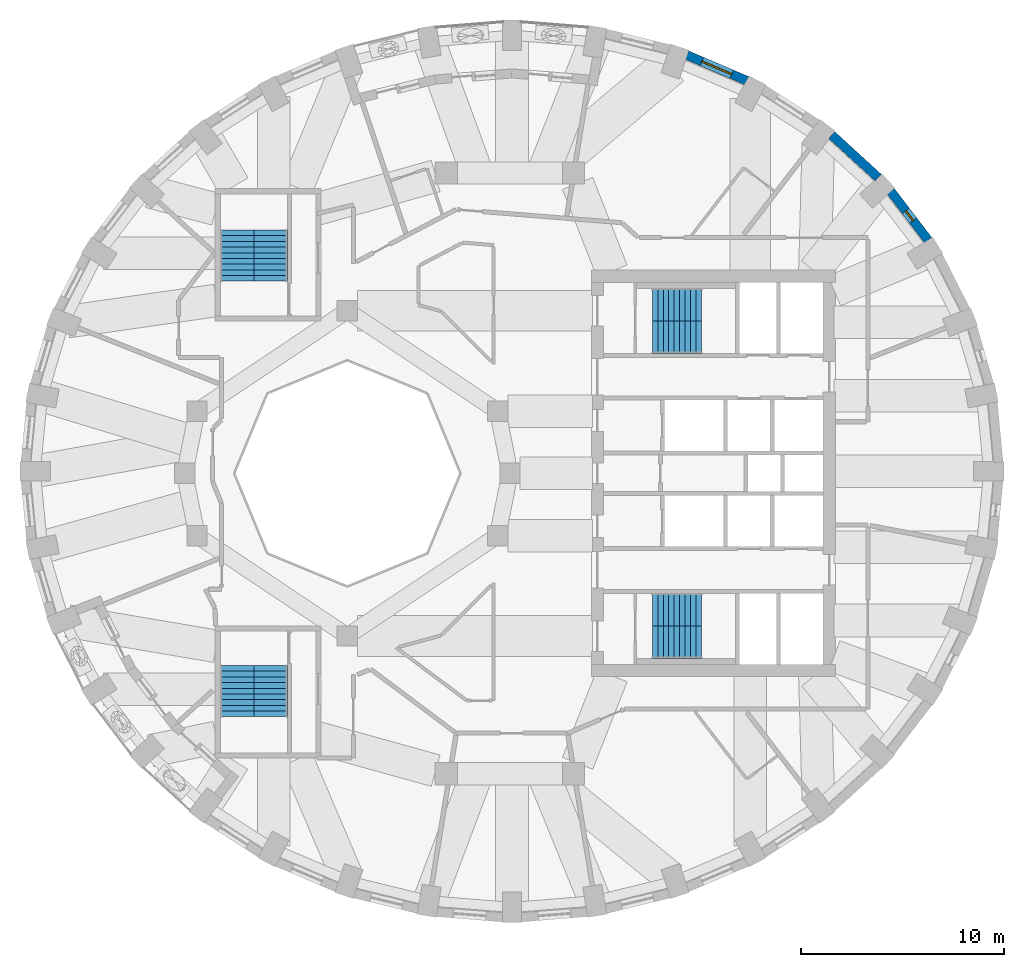
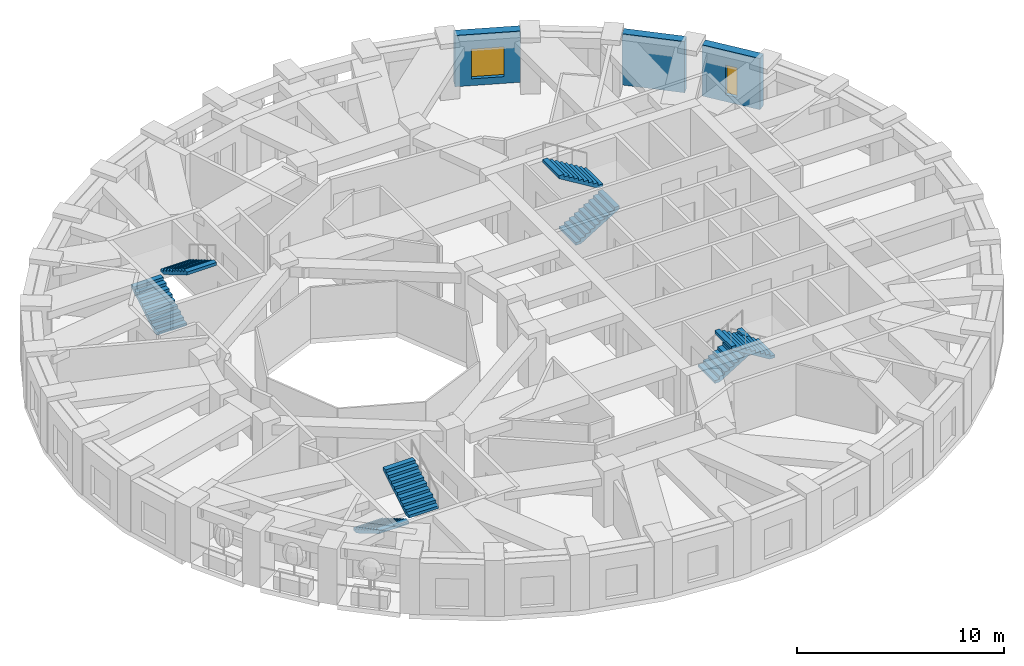
# One storey, part 8 of 11: 8 stair flights, 3 walls, 2 windows, 2 openings, 4 elements without a shape of their own.
"""IFC4 building model written with IfcOpenShell, lengths in metres."""

from ifc_helpers import new_model, si_unit, direction, frame, frame_2d, origin, place, context, subcontext, project, spatial, polyline, rectangle, outline, extrude, material, layer, layer_set, type_object, element, fill, aggregate, save


model = new_model("IFC4")

# Units and contexts
model_context = context("Model", 3, precision=1e-05, world=origin(), true_north=direction((0.0, 1.0)))
body_context = subcontext(model_context, "Body", "Model", "MODEL_VIEW")
ifc_project = project(units=[si_unit("LENGTHUNIT", "METRE"), si_unit("AREAUNIT", "SQUARE_METRE"), si_unit("VOLUMEUNIT", "CUBIC_METRE"), si_unit("PLANEANGLEUNIT", "RADIAN"), si_unit("MASSUNIT", "GRAM", prefix="KILO")], contexts=[model_context])

# Site, building, storey
site_placement = place(None, origin())
site = spatial("IfcSite", under=ifc_project, at=site_placement, CompositionType="ELEMENT")
building_placement = place(site_placement, origin())
building = spatial("IfcBuilding", under=site, at=building_placement, Name="Taillehof Tower", CompositionType="ELEMENT")
storey_placement = place(building_placement, frame((0.0, 0.0, 174.800048828125)))
storey = spatial("IfcBuildingStorey", under=building, at=storey_placement, Name="L49", CompositionType="ELEMENT", Elevation=174.800048828125)

# Wall, opening, window
ifc_material_1 = material(Name="Brick masonry", Category="masonry")
ifc_layer = layer(ifc_material_1, 0.449951171875)
ifc_layer_set = layer_set([ifc_layer], Name="Brick infill wall 450")
wall_type = type_object("IfcWallType", Name="Brick infill wall 450", PredefinedType="SOLIDWALL", material=ifc_layer_set)
wall_1_placement = place(storey_placement, frame((20.573974609375, 11.467041015625, 0.0), z_axis=(0.0, 0.0, 1.0), x_axis=(-0.607817056371, 0.794077090706, 0.0)))
wall_1 = element("IfcWall", 1, at=wall_1_placement, inside=storey, type_object=wall_type, Name="Brick wall L49 bay 4", PredefinedType="SOLIDWALL", context=body_context, shape_type="SweptSolid", body=[
    extrude(rectangle(XDim=3.037109375, YDim=0.449951171875, at=frame_2d((1.5185546875, 0.0))), origin(), (0.0, 0.0, 1.0), 3.02001953125),
])
opening_1_placement = place(wall_1_placement, frame((1.218505859375, 0.0, 0.39990234375)))
opening_1 = element("IfcOpeningElement", 2, at=opening_1_placement, cuts=wall_1, Name="Opening W6", PredefinedType="OPENING", context=body_context, shape_type="SweptSolid", body=[
    extrude(rectangle(XDim=0.60009765625, YDim=1.75, at=frame_2d((0.300048828125, 0.875))), frame((0.0, 0.23486328125, 0.0), z_axis=(0.0, -1.0, 0.0), x_axis=(1.0, 0.0, 0.0)), (0.0, 0.0, 1.0), 0.469970703125),
])
ifc_material_2 = material(Name="Aluminium window frame with clear double glazing", Category="aluminium")
window_type_1 = type_object("IfcWindowType", Name="Slot window 600x1750", PartitioningType="SINGLE_PANEL", PredefinedType="WINDOW", material=ifc_material_2)
window_1_placement = place(opening_1_placement, origin())
window_1 = element("IfcWindow", 3, at=window_1_placement, inside=storey, type_object=window_type_1, Name="W6", OverallHeight=1.75, OverallWidth=0.60009765625, PartitioningType="SINGLE_PANEL", PredefinedType="WINDOW", context=body_context, shape_type="SweptSolid", body=[
    extrude(rectangle(XDim=0.60009765625, YDim=1.75, at=frame_2d((0.300048828125, 0.875))), frame((0.0, 0.034912109375, 0.0), z_axis=(0.0, -1.0, 0.0), x_axis=(1.0, 0.0, 0.0)), (0.0, 0.0, 1.0), 0.06005859375),
])
fill(opening_1, window_1)

# Wall
wall_2_placement = place(storey_placement, frame((18.11328125, 14.5498046875, 0.0), z_axis=(0.0, 0.0, 1.0), x_axis=(-0.737808755941, 0.675009807082, 0.0)))
element("IfcWall", 4, at=wall_2_placement, inside=storey, type_object=wall_type, Name="Brick wall L49 bay 5", PredefinedType="SOLIDWALL", context=body_context, shape_type="SweptSolid", body=[
    extrude(rectangle(XDim=3.094482421875, YDim=0.449951171875, at=frame_2d((1.54736328125, 0.0))), origin(), (0.0, 0.0, 1.0), 3.02001953125),
])

# Wall, opening, window
wall_3_placement = place(storey_placement, frame((11.650390625, 19.318603515625, 0.0), z_axis=(0.0, 0.0, 1.0), x_axis=(-0.91981046949, 0.392362969986, 0.0)))
wall_3 = element("IfcWall", 5, at=wall_3_placement, inside=storey, type_object=wall_type, Name="Brick wall L49 bay 7", PredefinedType="SOLIDWALL", context=body_context, shape_type="SweptSolid", body=[
    extrude(rectangle(XDim=3.20068359375, YDim=0.449951171875, at=frame_2d((1.600341796875, 0.0))), origin(), (0.0, 0.0, 1.0), 3.02001953125),
])
opening_2_placement = place(wall_3_placement, frame((0.80029296875, 0.0, 0.39990234375)))
opening_2 = element("IfcOpeningElement", 6, at=opening_2_placement, cuts=wall_3, Name="Opening W3", PredefinedType="OPENING", context=body_context, shape_type="SweptSolid", body=[
    extrude(rectangle(XDim=1.60009765625, YDim=1.75, at=frame_2d((0.800048828125, 0.875))), frame((0.0, 0.23486328125, 0.0), z_axis=(0.0, -1.0, 0.0), x_axis=(1.0, 0.0, 0.0)), (0.0, 0.0, 1.0), 0.469970703125),
])
ifc_material_3 = material(Name="Aluminium window frame with clear double glazing", Category="aluminium")
window_type_2 = type_object("IfcWindowType", Name="Deep-set window 1600x1750", PartitioningType="SINGLE_PANEL", PredefinedType="WINDOW", material=ifc_material_3)
window_2_placement = place(opening_2_placement, origin())
window_2 = element("IfcWindow", 7, at=window_2_placement, inside=storey, type_object=window_type_2, Name="W3", OverallHeight=1.75, OverallWidth=1.60009765625, PartitioningType="SINGLE_PANEL", PredefinedType="WINDOW", context=body_context, shape_type="SweptSolid", body=[
    extrude(rectangle(XDim=1.60009765625, YDim=1.75, at=frame_2d((0.800048828125, 0.875))), frame((0.0, 0.034912109375, 0.0), z_axis=(0.0, -1.0, 0.0), x_axis=(1.0, 0.0, 0.0)), (0.0, 0.0, 1.0), 0.06005859375),
])
fill(opening_2, window_2)

# Stair, stair flights
ifc_material_4 = material(Name="Concrete C40/50", Category="concrete")
stair_type = type_object("IfcStairType", Name="Exit stair half-turn", PredefinedType="HALF_TURN_STAIR", material=ifc_material_4)
stair_1_placement = place(storey_placement, origin())
stair_1 = element("IfcStair", 8, at=stair_1_placement, inside=storey, type_object=stair_type, Name="Exit stair S1", PredefinedType="HALF_TURN_STAIR")
ifc_material_5 = material(Name="Concrete C40/50", Category="concrete")
stair_flight_type_1 = type_object("IfcStairFlightType", Name="Stair flight 1600 riser 165.0 going 270", PredefinedType="STRAIGHT", material=ifc_material_5)
stair_flight_1_placement = place(storey_placement, frame((7.0, 6.699951171875, 0.0), z_axis=(0.0, 0.0, 1.0), x_axis=(1.0, 0.0, 0.0)))
stair_flight_1 = element("IfcStairFlight", 9, at=stair_flight_1_placement, type_object=stair_flight_type_1, Name="S1 flight 1", NumberOfRisers=10, NumberOfTreads=9, PredefinedType="STRAIGHT", RiserHeight=0.165, TreadLength=0.27, context=body_context, shape_type="SweptSolid", body=[
    extrude(outline(polyline([(0.0, 0.0), (0.0, 0.00537109375), (0.0, 0.0107421875), (0.0, 0.015869140625), (0.0, 0.021240234375), (0.0, 0.026611328125), (0.0, 0.031982421875), (0.0, 0.037353515625), (0.0, 0.04248046875), (0.0, 0.0478515625), (0.0, 0.05322265625), (0.0, 0.05859375), (0.0, 0.06396484375), (0.0, 0.069091796875), (0.0, 0.074462890625), (0.0, 0.079833984375), (0.0, 0.085205078125), (0.0, 0.090576171875), (0.0, 0.095703125), (0.0, 0.10107421875), (0.0, 0.1064453125), (0.0, 0.11181640625), (0.0, 0.1171875), (0.0, 0.122314453125), (0.0, 0.127685546875), (0.0, 0.133056640625), (0.0, 0.138427734375), (0.0, 0.143798828125), (0.0, 0.14892578125), (0.0, 0.154296875), (0.0, 0.15966796875), (0.0, 0.1650390625), (0.27001953125, 0.1650390625), (0.27001953125, 0.330078125), (0.5400390625, 0.330078125), (0.5400390625, 0.4951171875), (0.81005859375, 0.4951171875), (0.81005859375, 0.659912109375), (1.080078125, 0.659912109375), (1.080078125, 0.824951171875), (1.35009765625, 0.824951171875), (1.35009765625, 0.989990234375), (1.6201171875, 0.989990234375), (1.6201171875, 1.155029296875), (1.889892578125, 1.155029296875), (1.889892578125, 1.320068359375), (2.159912109375, 1.320068359375), (2.159912109375, 1.485107421875), (2.429931640625, 1.485107421875), (2.429931640625, 1.479248046875), (2.429931640625, 1.4736328125), (2.429931640625, 1.468017578125), (2.429931640625, 1.46240234375), (2.429931640625, 1.45654296875), (2.429931640625, 1.450927734375), (2.429931640625, 1.4453125), (2.429931640625, 1.439697265625), (2.429931640625, 1.43408203125), (2.429931640625, 1.42822265625), (2.429931640625, 1.422607421875), (2.429931640625, 1.4169921875), (2.429931640625, 1.411376953125), (2.429931640625, 1.40576171875), (2.429931640625, 1.39990234375), (2.429931640625, 1.394287109375), (2.429931640625, 1.388671875), (2.429931640625, 1.383056640625), (2.429931640625, 1.37744140625), (2.429931640625, 1.37158203125), (2.429931640625, 1.365966796875), (2.429931640625, 1.3603515625), (2.429931640625, 1.354736328125), (2.429931640625, 1.348876953125), (2.429931640625, 1.34326171875), (2.429931640625, 1.337646484375), (2.429931640625, 1.33203125), (2.429931640625, 1.326416015625), (2.429931640625, 1.320556640625), (2.429931640625, 1.31494140625), (2.429931640625, 1.309326171875), (0.287353515625, 0.0), (0.0, 0.0)])), frame((0.0, 0.800048828125, 0.0), z_axis=(0.0, -1.0, 0.0), x_axis=(1.0, 0.0, 0.0)), (0.0, 0.0, 1.0), 1.6),
])
stair_flight_2_placement = place(storey_placement, frame((9.429931640625, 8.300048828125, 1.64990234375), z_axis=(0.0, 0.0, 1.0), x_axis=(-1.0, 0.0, 0.0)))
stair_flight_2 = element("IfcStairFlight", 10, at=stair_flight_2_placement, type_object=stair_flight_type_1, Name="S1 flight 2", NumberOfRisers=10, NumberOfTreads=9, PredefinedType="STRAIGHT", RiserHeight=0.165, TreadLength=0.27, context=body_context, shape_type="SweptSolid", body=[
    extrude(outline(polyline([(0.0, 0.0), (0.0, 0.00537109375), (0.0, 0.0107421875), (0.0, 0.015869140625), (0.0, 0.021240234375), (0.0, 0.026611328125), (0.0, 0.031982421875), (0.0, 0.037353515625), (0.0, 0.04248046875), (0.0, 0.0478515625), (0.0, 0.05322265625), (0.0, 0.05859375), (0.0, 0.06396484375), (0.0, 0.069091796875), (0.0, 0.074462890625), (0.0, 0.079833984375), (0.0, 0.085205078125), (0.0, 0.090576171875), (0.0, 0.095703125), (0.0, 0.10107421875), (0.0, 0.1064453125), (0.0, 0.11181640625), (0.0, 0.1171875), (0.0, 0.122314453125), (0.0, 0.127685546875), (0.0, 0.133056640625), (0.0, 0.138427734375), (0.0, 0.143798828125), (0.0, 0.14892578125), (0.0, 0.154296875), (0.0, 0.15966796875), (0.0, 0.1650390625), (0.27001953125, 0.1650390625), (0.27001953125, 0.330078125), (0.5400390625, 0.330078125), (0.5400390625, 0.4951171875), (0.81005859375, 0.4951171875), (0.81005859375, 0.659912109375), (1.080078125, 0.659912109375), (1.080078125, 0.824951171875), (1.35009765625, 0.824951171875), (1.35009765625, 0.989990234375), (1.6201171875, 0.989990234375), (1.6201171875, 1.155029296875), (1.889892578125, 1.155029296875), (1.889892578125, 1.320068359375), (2.159912109375, 1.320068359375), (2.159912109375, 1.485107421875), (2.429931640625, 1.485107421875), (2.429931640625, 1.479248046875), (2.429931640625, 1.4736328125), (2.429931640625, 1.468017578125), (2.429931640625, 1.46240234375), (2.429931640625, 1.45654296875), (2.429931640625, 1.450927734375), (2.429931640625, 1.4453125), (2.429931640625, 1.439697265625), (2.429931640625, 1.43408203125), (2.429931640625, 1.42822265625), (2.429931640625, 1.422607421875), (2.429931640625, 1.4169921875), (2.429931640625, 1.411376953125), (2.429931640625, 1.40576171875), (2.429931640625, 1.39990234375), (2.429931640625, 1.394287109375), (2.429931640625, 1.388671875), (2.429931640625, 1.383056640625), (2.429931640625, 1.37744140625), (2.429931640625, 1.37158203125), (2.429931640625, 1.365966796875), (2.429931640625, 1.3603515625), (2.429931640625, 1.354736328125), (2.429931640625, 1.348876953125), (2.429931640625, 1.34326171875), (2.429931640625, 1.337646484375), (2.429931640625, 1.33203125), (2.429931640625, 1.326416015625), (2.429931640625, 1.320556640625), (2.429931640625, 1.31494140625), (2.429931640625, 1.309326171875), (0.287353515625, 0.0), (0.0, 0.0)])), frame((0.0, 0.800048828125, 0.0), z_axis=(0.0, -1.0, 0.0), x_axis=(1.0, 0.0, 0.0)), (0.0, 0.0, 1.0), 1.6),
])
aggregate(stair_1, [stair_flight_1, stair_flight_2])

stair_2_placement = place(storey_placement, origin())
stair_2 = element("IfcStair", 11, at=stair_2_placement, inside=storey, type_object=stair_type, Name="Exit stair S2", PredefinedType="HALF_TURN_STAIR")
stair_flight_3_placement = place(storey_placement, frame((7.0, -6.699951171875, 0.0), z_axis=(0.0, 0.0, 1.0), x_axis=(1.0, 0.0, 0.0)))
stair_flight_3 = element("IfcStairFlight", 12, at=stair_flight_3_placement, type_object=stair_flight_type_1, Name="S2 flight 1", NumberOfRisers=10, NumberOfTreads=9, PredefinedType="STRAIGHT", RiserHeight=0.165, TreadLength=0.27, context=body_context, shape_type="SweptSolid", body=[
    extrude(outline(polyline([(0.0, 0.0), (0.0, 0.00537109375), (0.0, 0.0107421875), (0.0, 0.015869140625), (0.0, 0.021240234375), (0.0, 0.026611328125), (0.0, 0.031982421875), (0.0, 0.037353515625), (0.0, 0.04248046875), (0.0, 0.0478515625), (0.0, 0.05322265625), (0.0, 0.05859375), (0.0, 0.06396484375), (0.0, 0.069091796875), (0.0, 0.074462890625), (0.0, 0.079833984375), (0.0, 0.085205078125), (0.0, 0.090576171875), (0.0, 0.095703125), (0.0, 0.10107421875), (0.0, 0.1064453125), (0.0, 0.11181640625), (0.0, 0.1171875), (0.0, 0.122314453125), (0.0, 0.127685546875), (0.0, 0.133056640625), (0.0, 0.138427734375), (0.0, 0.143798828125), (0.0, 0.14892578125), (0.0, 0.154296875), (0.0, 0.15966796875), (0.0, 0.1650390625), (0.27001953125, 0.1650390625), (0.27001953125, 0.330078125), (0.5400390625, 0.330078125), (0.5400390625, 0.4951171875), (0.81005859375, 0.4951171875), (0.81005859375, 0.659912109375), (1.080078125, 0.659912109375), (1.080078125, 0.824951171875), (1.35009765625, 0.824951171875), (1.35009765625, 0.989990234375), (1.6201171875, 0.989990234375), (1.6201171875, 1.155029296875), (1.889892578125, 1.155029296875), (1.889892578125, 1.320068359375), (2.159912109375, 1.320068359375), (2.159912109375, 1.485107421875), (2.429931640625, 1.485107421875), (2.429931640625, 1.479248046875), (2.429931640625, 1.4736328125), (2.429931640625, 1.468017578125), (2.429931640625, 1.46240234375), (2.429931640625, 1.45654296875), (2.429931640625, 1.450927734375), (2.429931640625, 1.4453125), (2.429931640625, 1.439697265625), (2.429931640625, 1.43408203125), (2.429931640625, 1.42822265625), (2.429931640625, 1.422607421875), (2.429931640625, 1.4169921875), (2.429931640625, 1.411376953125), (2.429931640625, 1.40576171875), (2.429931640625, 1.39990234375), (2.429931640625, 1.394287109375), (2.429931640625, 1.388671875), (2.429931640625, 1.383056640625), (2.429931640625, 1.37744140625), (2.429931640625, 1.37158203125), (2.429931640625, 1.365966796875), (2.429931640625, 1.3603515625), (2.429931640625, 1.354736328125), (2.429931640625, 1.348876953125), (2.429931640625, 1.34326171875), (2.429931640625, 1.337646484375), (2.429931640625, 1.33203125), (2.429931640625, 1.326416015625), (2.429931640625, 1.320556640625), (2.429931640625, 1.31494140625), (2.429931640625, 1.309326171875), (0.287353515625, 0.0), (0.0, 0.0)])), frame((0.0, 0.800048828125, 0.0), z_axis=(0.0, -1.0, 0.0), x_axis=(1.0, 0.0, 0.0)), (0.0, 0.0, 1.0), 1.6),
])
stair_flight_4_placement = place(storey_placement, frame((9.429931640625, -8.300048828125, 1.64990234375), z_axis=(0.0, 0.0, 1.0), x_axis=(-1.0, 0.0, 0.0)))
stair_flight_4 = element("IfcStairFlight", 13, at=stair_flight_4_placement, type_object=stair_flight_type_1, Name="S2 flight 2", NumberOfRisers=10, NumberOfTreads=9, PredefinedType="STRAIGHT", RiserHeight=0.165, TreadLength=0.27, context=body_context, shape_type="SweptSolid", body=[
    extrude(outline(polyline([(0.0, 0.0), (0.0, 0.00537109375), (0.0, 0.0107421875), (0.0, 0.015869140625), (0.0, 0.021240234375), (0.0, 0.026611328125), (0.0, 0.031982421875), (0.0, 0.037353515625), (0.0, 0.04248046875), (0.0, 0.0478515625), (0.0, 0.05322265625), (0.0, 0.05859375), (0.0, 0.06396484375), (0.0, 0.069091796875), (0.0, 0.074462890625), (0.0, 0.079833984375), (0.0, 0.085205078125), (0.0, 0.090576171875), (0.0, 0.095703125), (0.0, 0.10107421875), (0.0, 0.1064453125), (0.0, 0.11181640625), (0.0, 0.1171875), (0.0, 0.122314453125), (0.0, 0.127685546875), (0.0, 0.133056640625), (0.0, 0.138427734375), (0.0, 0.143798828125), (0.0, 0.14892578125), (0.0, 0.154296875), (0.0, 0.15966796875), (0.0, 0.1650390625), (0.27001953125, 0.1650390625), (0.27001953125, 0.330078125), (0.5400390625, 0.330078125), (0.5400390625, 0.4951171875), (0.81005859375, 0.4951171875), (0.81005859375, 0.659912109375), (1.080078125, 0.659912109375), (1.080078125, 0.824951171875), (1.35009765625, 0.824951171875), (1.35009765625, 0.989990234375), (1.6201171875, 0.989990234375), (1.6201171875, 1.155029296875), (1.889892578125, 1.155029296875), (1.889892578125, 1.320068359375), (2.159912109375, 1.320068359375), (2.159912109375, 1.485107421875), (2.429931640625, 1.485107421875), (2.429931640625, 1.479248046875), (2.429931640625, 1.4736328125), (2.429931640625, 1.468017578125), (2.429931640625, 1.46240234375), (2.429931640625, 1.45654296875), (2.429931640625, 1.450927734375), (2.429931640625, 1.4453125), (2.429931640625, 1.439697265625), (2.429931640625, 1.43408203125), (2.429931640625, 1.42822265625), (2.429931640625, 1.422607421875), (2.429931640625, 1.4169921875), (2.429931640625, 1.411376953125), (2.429931640625, 1.40576171875), (2.429931640625, 1.39990234375), (2.429931640625, 1.394287109375), (2.429931640625, 1.388671875), (2.429931640625, 1.383056640625), (2.429931640625, 1.37744140625), (2.429931640625, 1.37158203125), (2.429931640625, 1.365966796875), (2.429931640625, 1.3603515625), (2.429931640625, 1.354736328125), (2.429931640625, 1.348876953125), (2.429931640625, 1.34326171875), (2.429931640625, 1.337646484375), (2.429931640625, 1.33203125), (2.429931640625, 1.326416015625), (2.429931640625, 1.320556640625), (2.429931640625, 1.31494140625), (2.429931640625, 1.309326171875), (0.287353515625, 0.0), (0.0, 0.0)])), frame((0.0, 0.800048828125, 0.0), z_axis=(0.0, -1.0, 0.0), x_axis=(1.0, 0.0, 0.0)), (0.0, 0.0, 1.0), 1.6),
])
aggregate(stair_2, [stair_flight_3, stair_flight_4])

stair_3_placement = place(storey_placement, origin())
stair_3 = element("IfcStair", 14, at=stair_3_placement, inside=storey, type_object=stair_type, Name="Exit stair S3", PredefinedType="HALF_TURN_STAIR")
ifc_material_6 = material(Name="Concrete C40/50", Category="concrete")
stair_flight_type_2 = type_object("IfcStairFlightType", Name="Stair flight 1650 riser 165.0 going 280", PredefinedType="STRAIGHT", material=ifc_material_6)
stair_flight_5_placement = place(storey_placement, frame((-13.425048828125, 9.449951171875, 0.0), z_axis=(0.0, 0.0, 1.0), x_axis=(0.0, 1.0, 0.0)))
stair_flight_5 = element("IfcStairFlight", 15, at=stair_flight_5_placement, type_object=stair_flight_type_2, Name="S3 flight 1", NumberOfRisers=10, NumberOfTreads=9, PredefinedType="STRAIGHT", RiserHeight=0.165, TreadLength=0.28, context=body_context, shape_type="SweptSolid", body=[
    extrude(outline(polyline([(0.0, 0.0), (0.0, 0.00537109375), (0.0, 0.0107421875), (0.0, 0.015869140625), (0.0, 0.021240234375), (0.0, 0.026611328125), (0.0, 0.031982421875), (0.0, 0.037353515625), (0.0, 0.04248046875), (0.0, 0.0478515625), (0.0, 0.05322265625), (0.0, 0.05859375), (0.0, 0.06396484375), (0.0, 0.069091796875), (0.0, 0.074462890625), (0.0, 0.079833984375), (0.0, 0.085205078125), (0.0, 0.090576171875), (0.0, 0.095703125), (0.0, 0.10107421875), (0.0, 0.1064453125), (0.0, 0.11181640625), (0.0, 0.1171875), (0.0, 0.122314453125), (0.0, 0.127685546875), (0.0, 0.133056640625), (0.0, 0.138427734375), (0.0, 0.143798828125), (0.0, 0.14892578125), (0.0, 0.154296875), (0.0, 0.15966796875), (0.0, 0.1650390625), (0.280029296875, 0.1650390625), (0.280029296875, 0.330078125), (0.56005859375, 0.330078125), (0.56005859375, 0.4951171875), (0.840087890625, 0.4951171875), (0.840087890625, 0.659912109375), (1.1201171875, 0.659912109375), (1.1201171875, 0.824951171875), (1.39990234375, 0.824951171875), (1.39990234375, 0.989990234375), (1.679931640625, 0.989990234375), (1.679931640625, 1.155029296875), (1.9599609375, 1.155029296875), (1.9599609375, 1.320068359375), (2.239990234375, 1.320068359375), (2.239990234375, 1.485107421875), (2.52001953125, 1.485107421875), (2.52001953125, 1.4794921875), (2.52001953125, 1.473876953125), (2.52001953125, 1.46826171875), (2.52001953125, 1.462646484375), (2.52001953125, 1.45703125), (2.52001953125, 1.451416015625), (2.52001953125, 1.44580078125), (2.52001953125, 1.440185546875), (2.52001953125, 1.4345703125), (2.52001953125, 1.428955078125), (2.52001953125, 1.42333984375), (2.52001953125, 1.417724609375), (2.52001953125, 1.412109375), (2.52001953125, 1.406494140625), (2.52001953125, 1.40087890625), (2.52001953125, 1.395263671875), (2.52001953125, 1.3896484375), (2.52001953125, 1.384033203125), (2.52001953125, 1.37841796875), (2.52001953125, 1.372802734375), (2.52001953125, 1.3671875), (2.52001953125, 1.361572265625), (2.52001953125, 1.35595703125), (2.52001953125, 1.350341796875), (2.52001953125, 1.3447265625), (2.52001953125, 1.339111328125), (2.52001953125, 1.33349609375), (2.52001953125, 1.327880859375), (2.52001953125, 1.322265625), (2.52001953125, 1.316650390625), (2.52001953125, 1.31103515625), (0.295166015625, 0.0), (0.0, 0.0)])), frame((0.0, 0.824951171875, 0.0), z_axis=(0.0, -1.0, 0.0), x_axis=(1.0, 0.0, 0.0)), (0.0, 0.0, 1.0), 1.65),
])
stair_flight_6_placement = place(storey_placement, frame((-11.77490234375, 11.969970703125, 1.64990234375), z_axis=(0.0, 0.0, 1.0), x_axis=(0.0, -1.0, 0.0)))
stair_flight_6 = element("IfcStairFlight", 16, at=stair_flight_6_placement, type_object=stair_flight_type_2, Name="S3 flight 2", NumberOfRisers=10, NumberOfTreads=9, PredefinedType="STRAIGHT", RiserHeight=0.165, TreadLength=0.28, context=body_context, shape_type="SweptSolid", body=[
    extrude(outline(polyline([(0.0, 0.0), (0.0, 0.00537109375), (0.0, 0.0107421875), (0.0, 0.015869140625), (0.0, 0.021240234375), (0.0, 0.026611328125), (0.0, 0.031982421875), (0.0, 0.037353515625), (0.0, 0.04248046875), (0.0, 0.0478515625), (0.0, 0.05322265625), (0.0, 0.05859375), (0.0, 0.06396484375), (0.0, 0.069091796875), (0.0, 0.074462890625), (0.0, 0.079833984375), (0.0, 0.085205078125), (0.0, 0.090576171875), (0.0, 0.095703125), (0.0, 0.10107421875), (0.0, 0.1064453125), (0.0, 0.11181640625), (0.0, 0.1171875), (0.0, 0.122314453125), (0.0, 0.127685546875), (0.0, 0.133056640625), (0.0, 0.138427734375), (0.0, 0.143798828125), (0.0, 0.14892578125), (0.0, 0.154296875), (0.0, 0.15966796875), (0.0, 0.1650390625), (0.280029296875, 0.1650390625), (0.280029296875, 0.330078125), (0.56005859375, 0.330078125), (0.56005859375, 0.4951171875), (0.840087890625, 0.4951171875), (0.840087890625, 0.659912109375), (1.1201171875, 0.659912109375), (1.1201171875, 0.824951171875), (1.39990234375, 0.824951171875), (1.39990234375, 0.989990234375), (1.679931640625, 0.989990234375), (1.679931640625, 1.155029296875), (1.9599609375, 1.155029296875), (1.9599609375, 1.320068359375), (2.239990234375, 1.320068359375), (2.239990234375, 1.485107421875), (2.52001953125, 1.485107421875), (2.52001953125, 1.4794921875), (2.52001953125, 1.473876953125), (2.52001953125, 1.46826171875), (2.52001953125, 1.462646484375), (2.52001953125, 1.45703125), (2.52001953125, 1.451416015625), (2.52001953125, 1.44580078125), (2.52001953125, 1.440185546875), (2.52001953125, 1.4345703125), (2.52001953125, 1.428955078125), (2.52001953125, 1.42333984375), (2.52001953125, 1.417724609375), (2.52001953125, 1.412109375), (2.52001953125, 1.406494140625), (2.52001953125, 1.40087890625), (2.52001953125, 1.395263671875), (2.52001953125, 1.3896484375), (2.52001953125, 1.384033203125), (2.52001953125, 1.37841796875), (2.52001953125, 1.372802734375), (2.52001953125, 1.3671875), (2.52001953125, 1.361572265625), (2.52001953125, 1.35595703125), (2.52001953125, 1.350341796875), (2.52001953125, 1.3447265625), (2.52001953125, 1.339111328125), (2.52001953125, 1.33349609375), (2.52001953125, 1.327880859375), (2.52001953125, 1.322265625), (2.52001953125, 1.316650390625), (2.52001953125, 1.31103515625), (0.295166015625, 0.0), (0.0, 0.0)])), frame((0.0, 0.824951171875, 0.0), z_axis=(0.0, -1.0, 0.0), x_axis=(1.0, 0.0, 0.0)), (0.0, 0.0, 1.0), 1.65),
])
aggregate(stair_3, [stair_flight_5, stair_flight_6])

stair_4_placement = place(storey_placement, origin())
stair_4 = element("IfcStair", 17, at=stair_4_placement, inside=storey, type_object=stair_type, Name="Exit stair S4", PredefinedType="HALF_TURN_STAIR")
stair_flight_7_placement = place(storey_placement, frame((-13.425048828125, -9.449951171875, 0.0), z_axis=(0.0, 0.0, 1.0), x_axis=(0.0, -1.0, 0.0)))
stair_flight_7 = element("IfcStairFlight", 18, at=stair_flight_7_placement, type_object=stair_flight_type_2, Name="S4 flight 1", NumberOfRisers=10, NumberOfTreads=9, PredefinedType="STRAIGHT", RiserHeight=0.165, TreadLength=0.28, context=body_context, shape_type="SweptSolid", body=[
    extrude(outline(polyline([(0.0, 0.0), (0.0, 0.00537109375), (0.0, 0.0107421875), (0.0, 0.015869140625), (0.0, 0.021240234375), (0.0, 0.026611328125), (0.0, 0.031982421875), (0.0, 0.037353515625), (0.0, 0.04248046875), (0.0, 0.0478515625), (0.0, 0.05322265625), (0.0, 0.05859375), (0.0, 0.06396484375), (0.0, 0.069091796875), (0.0, 0.074462890625), (0.0, 0.079833984375), (0.0, 0.085205078125), (0.0, 0.090576171875), (0.0, 0.095703125), (0.0, 0.10107421875), (0.0, 0.1064453125), (0.0, 0.11181640625), (0.0, 0.1171875), (0.0, 0.122314453125), (0.0, 0.127685546875), (0.0, 0.133056640625), (0.0, 0.138427734375), (0.0, 0.143798828125), (0.0, 0.14892578125), (0.0, 0.154296875), (0.0, 0.15966796875), (0.0, 0.1650390625), (0.280029296875, 0.1650390625), (0.280029296875, 0.330078125), (0.56005859375, 0.330078125), (0.56005859375, 0.4951171875), (0.840087890625, 0.4951171875), (0.840087890625, 0.659912109375), (1.1201171875, 0.659912109375), (1.1201171875, 0.824951171875), (1.39990234375, 0.824951171875), (1.39990234375, 0.989990234375), (1.679931640625, 0.989990234375), (1.679931640625, 1.155029296875), (1.9599609375, 1.155029296875), (1.9599609375, 1.320068359375), (2.239990234375, 1.320068359375), (2.239990234375, 1.485107421875), (2.52001953125, 1.485107421875), (2.52001953125, 1.4794921875), (2.52001953125, 1.473876953125), (2.52001953125, 1.46826171875), (2.52001953125, 1.462646484375), (2.52001953125, 1.45703125), (2.52001953125, 1.451416015625), (2.52001953125, 1.44580078125), (2.52001953125, 1.440185546875), (2.52001953125, 1.4345703125), (2.52001953125, 1.428955078125), (2.52001953125, 1.42333984375), (2.52001953125, 1.417724609375), (2.52001953125, 1.412109375), (2.52001953125, 1.406494140625), (2.52001953125, 1.40087890625), (2.52001953125, 1.395263671875), (2.52001953125, 1.3896484375), (2.52001953125, 1.384033203125), (2.52001953125, 1.37841796875), (2.52001953125, 1.372802734375), (2.52001953125, 1.3671875), (2.52001953125, 1.361572265625), (2.52001953125, 1.35595703125), (2.52001953125, 1.350341796875), (2.52001953125, 1.3447265625), (2.52001953125, 1.339111328125), (2.52001953125, 1.33349609375), (2.52001953125, 1.327880859375), (2.52001953125, 1.322265625), (2.52001953125, 1.316650390625), (2.52001953125, 1.31103515625), (0.295166015625, 0.0), (0.0, 0.0)])), frame((0.0, 0.824951171875, 0.0), z_axis=(0.0, -1.0, 0.0), x_axis=(1.0, 0.0, 0.0)), (0.0, 0.0, 1.0), 1.65),
])
stair_flight_8_placement = place(storey_placement, frame((-11.77490234375, -11.969970703125, 1.64990234375), z_axis=(0.0, 0.0, 1.0), x_axis=(0.0, 1.0, 0.0)))
stair_flight_8 = element("IfcStairFlight", 19, at=stair_flight_8_placement, type_object=stair_flight_type_2, Name="S4 flight 2", NumberOfRisers=10, NumberOfTreads=9, PredefinedType="STRAIGHT", RiserHeight=0.165, TreadLength=0.28, context=body_context, shape_type="SweptSolid", body=[
    extrude(outline(polyline([(0.0, 0.0), (0.0, 0.00537109375), (0.0, 0.0107421875), (0.0, 0.015869140625), (0.0, 0.021240234375), (0.0, 0.026611328125), (0.0, 0.031982421875), (0.0, 0.037353515625), (0.0, 0.04248046875), (0.0, 0.0478515625), (0.0, 0.05322265625), (0.0, 0.05859375), (0.0, 0.06396484375), (0.0, 0.069091796875), (0.0, 0.074462890625), (0.0, 0.079833984375), (0.0, 0.085205078125), (0.0, 0.090576171875), (0.0, 0.095703125), (0.0, 0.10107421875), (0.0, 0.1064453125), (0.0, 0.11181640625), (0.0, 0.1171875), (0.0, 0.122314453125), (0.0, 0.127685546875), (0.0, 0.133056640625), (0.0, 0.138427734375), (0.0, 0.143798828125), (0.0, 0.14892578125), (0.0, 0.154296875), (0.0, 0.15966796875), (0.0, 0.1650390625), (0.280029296875, 0.1650390625), (0.280029296875, 0.330078125), (0.56005859375, 0.330078125), (0.56005859375, 0.4951171875), (0.840087890625, 0.4951171875), (0.840087890625, 0.659912109375), (1.1201171875, 0.659912109375), (1.1201171875, 0.824951171875), (1.39990234375, 0.824951171875), (1.39990234375, 0.989990234375), (1.679931640625, 0.989990234375), (1.679931640625, 1.155029296875), (1.9599609375, 1.155029296875), (1.9599609375, 1.320068359375), (2.239990234375, 1.320068359375), (2.239990234375, 1.485107421875), (2.52001953125, 1.485107421875), (2.52001953125, 1.4794921875), (2.52001953125, 1.473876953125), (2.52001953125, 1.46826171875), (2.52001953125, 1.462646484375), (2.52001953125, 1.45703125), (2.52001953125, 1.451416015625), (2.52001953125, 1.44580078125), (2.52001953125, 1.440185546875), (2.52001953125, 1.4345703125), (2.52001953125, 1.428955078125), (2.52001953125, 1.42333984375), (2.52001953125, 1.417724609375), (2.52001953125, 1.412109375), (2.52001953125, 1.406494140625), (2.52001953125, 1.40087890625), (2.52001953125, 1.395263671875), (2.52001953125, 1.3896484375), (2.52001953125, 1.384033203125), (2.52001953125, 1.37841796875), (2.52001953125, 1.372802734375), (2.52001953125, 1.3671875), (2.52001953125, 1.361572265625), (2.52001953125, 1.35595703125), (2.52001953125, 1.350341796875), (2.52001953125, 1.3447265625), (2.52001953125, 1.339111328125), (2.52001953125, 1.33349609375), (2.52001953125, 1.327880859375), (2.52001953125, 1.322265625), (2.52001953125, 1.316650390625), (2.52001953125, 1.31103515625), (0.295166015625, 0.0), (0.0, 0.0)])), frame((0.0, 0.824951171875, 0.0), z_axis=(0.0, -1.0, 0.0), x_axis=(1.0, 0.0, 0.0)), (0.0, 0.0, 1.0), 1.65),
])
aggregate(stair_4, [stair_flight_7, stair_flight_8])

save(model, "model.ifc")
